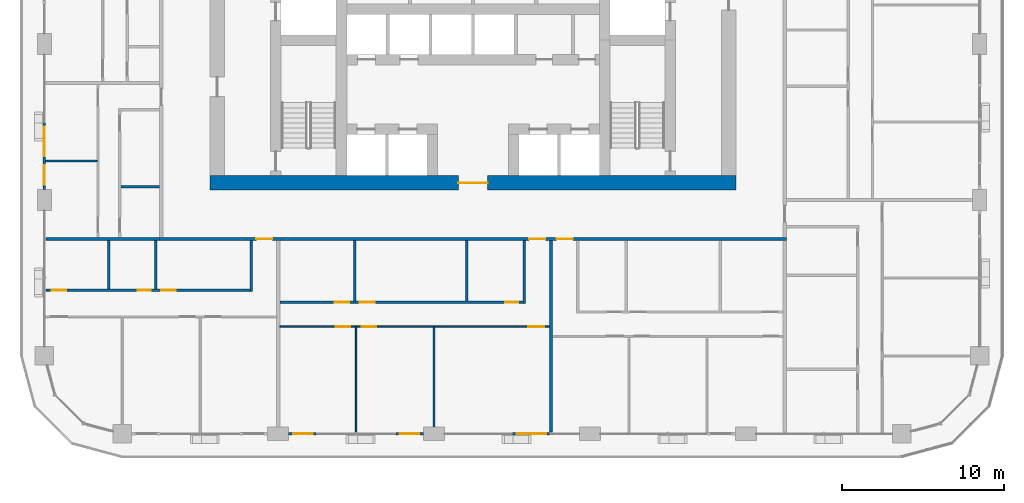
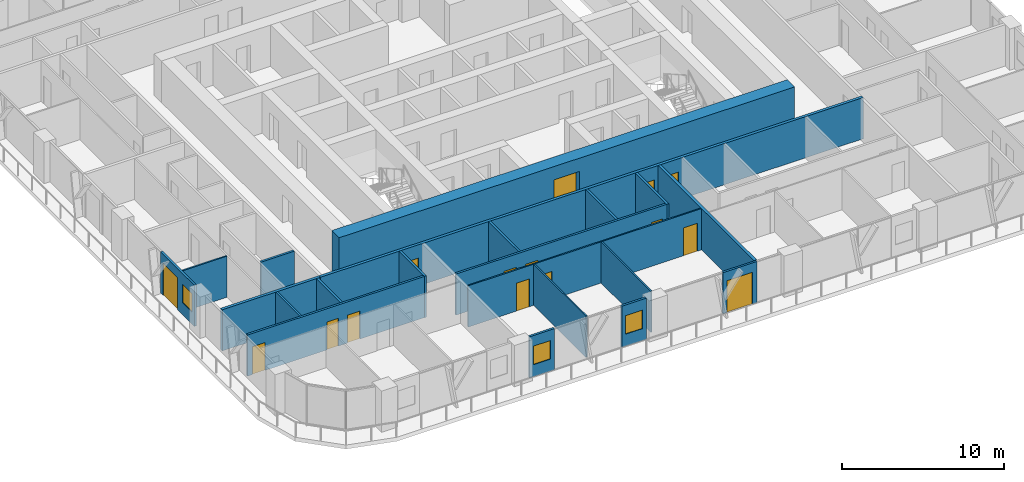
# One storey, part 9 of 21: 21 walls, 15 doors, 3 windows, 18 openings.
"""IFC4 building model written with IfcOpenShell, lengths in metres."""

from ifc_helpers import new_model, si_unit, direction, frame, frame_2d, origin, place, context, subcontext, project, spatial, rectangle, extrude, material, layer, layer_set, type_object, element, fill, save


model = new_model("IFC4")

# Units and contexts
model_context = context("Model", 3, precision=1e-05, world=origin(), true_north=direction((0.0, 1.0)))
body_context = subcontext(model_context, "Body", "Model", "MODEL_VIEW")
ifc_project = project(units=[si_unit("LENGTHUNIT", "METRE"), si_unit("AREAUNIT", "SQUARE_METRE"), si_unit("VOLUMEUNIT", "CUBIC_METRE"), si_unit("PLANEANGLEUNIT", "RADIAN"), si_unit("MASSUNIT", "GRAM", prefix="KILO")], contexts=[model_context])

# Site, building, storey
site_placement = place(None, origin())
site = spatial("IfcSite", under=ifc_project, at=site_placement, CompositionType="ELEMENT")
building_placement = place(site_placement, origin())
building = spatial("IfcBuilding", under=site, at=building_placement, Name="Madar Terraces", CompositionType="ELEMENT")
storey_placement = place(building_placement, frame((0.0, 0.0, 80.300048828125)))
storey = spatial("IfcBuildingStorey", under=building, at=storey_placement, Name="L20", CompositionType="ELEMENT", Elevation=80.300048828125)

# Wall, opening, door
ifc_material_1 = material(Name="Concrete C80/95", Category="concrete")
ifc_layer_1 = layer(ifc_material_1, 0.89990234375)
ifc_layer_set_1 = layer_set([ifc_layer_1], Name="Concrete C80/95 (CRW2 RC wall 900)")
wall_type_1 = type_object("IfcWallType", Name="CRW2 RC wall 900", PredefinedType="SHEAR", material=ifc_layer_set_1)
wall_1_placement = place(storey_placement, frame((15.0, 15.449951171875, 0.0), z_axis=(0.0, 0.0, 1.0), x_axis=(1.0, 0.0, 0.0)))
wall_1 = element("IfcWall", 1, at=wall_1_placement, inside=storey, type_object=wall_type_1, Name="CORE OUTER WALL", PredefinedType="SHEAR", context=body_context, shape_type="SweptSolid", body=[
    extrude(rectangle(XDim=32.39990234375, YDim=0.89990234375, at=frame_2d((16.199951171875, 0.0))), origin(), (0.0, 0.0, 1.0), 3.099853515625),
])
opening_1_placement = place(wall_1_placement, frame((15.300048828125, 0.0, 0.0)))
opening_1 = element("IfcOpeningElement", 2, at=opening_1_placement, cuts=wall_1, Name="Opening KD1", PredefinedType="OPENING", context=body_context, shape_type="SweptSolid", body=[
    extrude(rectangle(XDim=1.800048828125, YDim=2.10009765625, at=frame_2d((0.89990234375, 1.050048828125))), frame((0.0, 0.4599609375, 0.0), z_axis=(0.0, -1.0, 0.0), x_axis=(1.0, 0.0, 0.0)), (0.0, 0.0, 1.0), 0.919921875),
])
ifc_material_2 = material(Name="Steel door leaf", Category="steel")
door_type_1 = type_object("IfcDoorType", Name="Lobby door pair 1800 x 2100", OperationType="DOUBLE_DOOR_SINGLE_SWING", PredefinedType="DOOR", material=ifc_material_2)
door_1_placement = place(opening_1_placement, frame((1.800048828125, 0.0, 0.0), z_axis=(0.0, 0.0, 1.0), x_axis=(-1.0, 0.0, 0.0)))
door_1 = element("IfcDoor", 3, at=door_1_placement, inside=storey, type_object=door_type_1, Name="LIFT LOBBY DOOR", OperationType="DOUBLE_DOOR_SINGLE_SWING", OverallHeight=2.10009765625, OverallWidth=1.800048828125, PredefinedType="DOOR", context=body_context, shape_type="SweptSolid", body=[
    extrude(rectangle(XDim=1.800048828125, YDim=2.10009765625, at=frame_2d((0.89990234375, 1.050048828125))), frame((0.0, 0.02490234375, 0.0), z_axis=(0.0, -1.0, 0.0), x_axis=(1.0, 0.0, 0.0)), (0.0, 0.0, 1.0), 0.050048828125),
])
fill(opening_1, door_1)

# Wall, opening, window
ifc_material_3 = material(Name="Aluminium composite panel, black, over insulated backing", Category="aluminium")
ifc_layer_2 = layer(ifc_material_3, 0.14990234375)
ifc_layer_set_2 = layer_set([ifc_layer_2], Name="Facade bay panel 150")
wall_type_2 = type_object("IfcWallType", Name="Facade bay panel 150", PredefinedType="SOLIDWALL", material=ifc_layer_set_2)
wall_2_placement = place(storey_placement, frame((19.85009765625, 0.0, 0.0), z_axis=(0.0, 0.0, 1.0), x_axis=(1.0, 0.0, 0.0)))
wall_2 = element("IfcWall", 4, at=wall_2_placement, inside=storey, type_object=wall_type_2, Name="Facade bay panel", PredefinedType="SOLIDWALL", context=body_context, shape_type="SweptSolid", body=[
    extrude(rectangle(XDim=1.75, YDim=0.14990234375, at=frame_2d((0.875, 0.0))), origin(), (0.0, 0.0, 1.0), 3.099853515625),
])
opening_2_placement = place(wall_2_placement, frame((0.27490234375, 0.0, 0.89990234375)))
opening_2 = element("IfcOpeningElement", 5, at=opening_2_placement, cuts=wall_2, Name="Opening W1", PredefinedType="OPENING", context=body_context, shape_type="SweptSolid", body=[
    extrude(rectangle(XDim=1.199951171875, YDim=1.39990234375, at=frame_2d((0.60009765625, 0.699951171875))), frame((0.0, 0.0849609375, 0.0), z_axis=(0.0, -1.0, 0.0), x_axis=(1.0, 0.0, 0.0)), (0.0, 0.0, 1.0), 0.169921875),
])
ifc_material_4 = material(Name="Glass, clear, with black aluminium frame", Category="aluminium")
window_type = type_object("IfcWindowType", Name="Vent window 1200 x 1400", PartitioningType="SINGLE_PANEL", PredefinedType="WINDOW", material=ifc_material_4)
window_1_placement = place(opening_2_placement, origin())
window_1 = element("IfcWindow", 6, at=window_1_placement, inside=storey, type_object=window_type, Name="Operable vent window", OverallHeight=1.39990234375, OverallWidth=1.199951171875, PartitioningType="SINGLE_PANEL", PredefinedType="WINDOW", context=body_context, shape_type="SweptSolid", body=[
    extrude(rectangle(XDim=1.199951171875, YDim=1.39990234375, at=frame_2d((0.60009765625, 0.699951171875))), frame((0.0, 0.030029296875, 0.0), z_axis=(0.0, -1.0, 0.0), x_axis=(1.0, 0.0, 0.0)), (0.0, 0.0, 1.0), 0.06005859375),
])
fill(opening_2, window_1)

wall_3_placement = place(storey_placement, frame((26.39990234375, 0.0, 0.0), z_axis=(0.0, 0.0, 1.0), x_axis=(1.0, 0.0, 0.0)))
wall_3 = element("IfcWall", 7, at=wall_3_placement, inside=storey, type_object=wall_type_2, Name="Facade bay panel", PredefinedType="SOLIDWALL", context=body_context, shape_type="SweptSolid", body=[
    extrude(rectangle(XDim=1.75, YDim=0.14990234375, at=frame_2d((0.875, 0.0))), origin(), (0.0, 0.0, 1.0), 3.099853515625),
])
opening_3_placement = place(wall_3_placement, frame((0.27490234375, 0.0, 0.89990234375)))
opening_3 = element("IfcOpeningElement", 8, at=opening_3_placement, cuts=wall_3, Name="Opening W1", PredefinedType="OPENING", context=body_context, shape_type="SweptSolid", body=[
    extrude(rectangle(XDim=1.199951171875, YDim=1.39990234375, at=frame_2d((0.60009765625, 0.699951171875))), frame((0.0, 0.0849609375, 0.0), z_axis=(0.0, -1.0, 0.0), x_axis=(1.0, 0.0, 0.0)), (0.0, 0.0, 1.0), 0.169921875),
])
window_2_placement = place(opening_3_placement, origin())
window_2 = element("IfcWindow", 9, at=window_2_placement, inside=storey, type_object=window_type, Name="Operable vent window", OverallHeight=1.39990234375, OverallWidth=1.199951171875, PartitioningType="SINGLE_PANEL", PredefinedType="WINDOW", context=body_context, shape_type="SweptSolid", body=[
    extrude(rectangle(XDim=1.199951171875, YDim=1.39990234375, at=frame_2d((0.60009765625, 0.699951171875))), frame((0.0, 0.030029296875, 0.0), z_axis=(0.0, -1.0, 0.0), x_axis=(1.0, 0.0, 0.0)), (0.0, 0.0, 1.0), 0.06005859375),
])
fill(opening_3, window_2)

# Wall, opening, door
wall_4_placement = place(storey_placement, frame((33.60009765625, 0.0, 0.0), z_axis=(0.0, 0.0, 1.0), x_axis=(1.0, 0.0, 0.0)))
wall_4 = element("IfcWall", 10, at=wall_4_placement, inside=storey, type_object=wall_type_2, Name="Facade bay panel", PredefinedType="SOLIDWALL", context=body_context, shape_type="SweptSolid", body=[
    extrude(rectangle(XDim=2.39990234375, YDim=0.14990234375, at=frame_2d((1.199951171875, 0.0))), origin(), (0.0, 0.0, 1.0), 3.099853515625),
])
opening_4_placement = place(wall_4_placement, frame((0.300048828125, 0.0, 0.0)))
opening_4 = element("IfcOpeningElement", 11, at=opening_4_placement, cuts=wall_4, Name="Opening ED1", PredefinedType="OPENING", context=body_context, shape_type="SweptSolid", body=[
    extrude(rectangle(XDim=1.800048828125, YDim=2.39990234375, at=frame_2d((0.89990234375, 1.199951171875))), frame((0.0, 0.0849609375, 0.0), z_axis=(0.0, -1.0, 0.0), x_axis=(1.0, 0.0, 0.0)), (0.0, 0.0, 1.0), 0.169921875),
])
ifc_material_5 = material(Name="Glass, clear, with black aluminium frame", Category="aluminium")
door_type_2 = type_object("IfcDoorType", Name="Balcony and terrace sliding door 1800 x 2400", OperationType="SLIDING_TO_LEFT", PredefinedType="DOOR", material=ifc_material_5)
door_2_placement = place(opening_4_placement, origin())
door_2 = element("IfcDoor", 12, at=door_2_placement, inside=storey, type_object=door_type_2, Name="Balcony door", OperationType="SLIDING_TO_LEFT", OverallHeight=2.39990234375, OverallWidth=1.800048828125, PredefinedType="DOOR", context=body_context, shape_type="SweptSolid", body=[
    extrude(rectangle(XDim=1.800048828125, YDim=2.39990234375, at=frame_2d((0.89990234375, 1.199951171875))), frame((0.0, 0.02490234375, 0.0), z_axis=(0.0, -1.0, 0.0), x_axis=(1.0, 0.0, 0.0)), (0.0, 0.0, 1.0), 0.050048828125),
])
fill(opening_4, door_2)

# Wall, openings, door, window
wall_5_placement = place(storey_placement, frame((4.800048828125, 19.199951171875, 0.0), z_axis=(0.0, 0.0, 1.0), x_axis=(0.0, -1.0, 0.0)))
wall_5 = element("IfcWall", 13, at=wall_5_placement, inside=storey, type_object=wall_type_2, Name="Facade bay panel", PredefinedType="SOLIDWALL", context=body_context, shape_type="SweptSolid", body=[
    extrude(rectangle(XDim=4.14990234375, YDim=0.14990234375, at=frame_2d((2.074951171875, 0.0))), origin(), (0.0, 0.0, 1.0), 3.099853515625),
])
opening_5_placement = place(wall_5_placement, frame((0.300048828125, 0.0, 0.0)))
opening_5 = element("IfcOpeningElement", 14, at=opening_5_placement, cuts=wall_5, Name="Opening ED1", PredefinedType="OPENING", context=body_context, shape_type="SweptSolid", body=[
    extrude(rectangle(XDim=1.800048828125, YDim=2.39990234375, at=frame_2d((0.89990234375, 1.199951171875))), frame((0.0, 0.0849609375, 0.0), z_axis=(0.0, -1.0, 0.0), x_axis=(1.0, 0.0, 0.0)), (0.0, 0.0, 1.0), 0.169921875),
])
opening_6_placement = place(wall_5_placement, frame((2.675048828125, 0.0, 0.89990234375)))
opening_6 = element("IfcOpeningElement", 15, at=opening_6_placement, cuts=wall_5, Name="Opening W1", PredefinedType="OPENING", context=body_context, shape_type="SweptSolid", body=[
    extrude(rectangle(XDim=1.199951171875, YDim=1.39990234375, at=frame_2d((0.60009765625, 0.699951171875))), frame((0.0, 0.0849609375, 0.0), z_axis=(0.0, -1.0, 0.0), x_axis=(1.0, 0.0, 0.0)), (0.0, 0.0, 1.0), 0.169921875),
])
door_3_placement = place(opening_5_placement, origin())
door_3 = element("IfcDoor", 16, at=door_3_placement, inside=storey, type_object=door_type_2, Name="Balcony door", OperationType="SLIDING_TO_RIGHT", OverallHeight=2.39990234375, OverallWidth=1.800048828125, PredefinedType="DOOR", context=body_context, shape_type="SweptSolid", body=[
    extrude(rectangle(XDim=1.800048828125, YDim=2.39990234375, at=frame_2d((0.89990234375, 1.199951171875))), frame((0.0, 0.02490234375, 0.0), z_axis=(0.0, -1.0, 0.0), x_axis=(1.0, 0.0, 0.0)), (0.0, 0.0, 1.0), 0.050048828125),
])
fill(opening_5, door_3)
window_3_placement = place(opening_6_placement, origin())
window_3 = element("IfcWindow", 17, at=window_3_placement, inside=storey, type_object=window_type, Name="Operable vent window", OverallHeight=1.39990234375, OverallWidth=1.199951171875, PartitioningType="SINGLE_PANEL", PredefinedType="WINDOW", context=body_context, shape_type="SweptSolid", body=[
    extrude(rectangle(XDim=1.199951171875, YDim=1.39990234375, at=frame_2d((0.60009765625, 0.699951171875))), frame((0.0, 0.030029296875, 0.0), z_axis=(0.0, -1.0, 0.0), x_axis=(1.0, 0.0, 0.0)), (0.0, 0.0, 1.0), 0.06005859375),
])
fill(opening_6, window_3)

# Walls
ifc_material_6 = material(Name="Gypsum board on steel studs", Category="steel")
ifc_layer_3 = layer(ifc_material_6, 0.10009765625)
ifc_layer_set_3 = layer_set([ifc_layer_3], Name="Flat partition 100")
wall_type_3 = type_object("IfcWallType", Name="Flat partition 100", PredefinedType="PARTITIONING", material=ifc_layer_set_3)
wall_6_placement = place(storey_placement, frame((28.800048828125, 6.550048828125, 0.0), z_axis=(0.0, 0.0, 1.0), x_axis=(0.0, -1.0, 0.0)))
element("IfcWall", 18, at=wall_6_placement, inside=storey, type_object=wall_type_3, Name="Flat partition 100", PredefinedType="PARTITIONING", context=body_context, shape_type="SweptSolid", body=[
    extrude(rectangle(XDim=6.125, YDim=0.10009765625, at=frame_2d((3.0625, 0.0))), origin(), (0.0, 0.0, 1.0), 3.099853515625),
])
wall_7_placement = place(storey_placement, frame((24.0, 6.550048828125, 0.0), z_axis=(0.0, 0.0, 1.0), x_axis=(0.0, -1.0, 0.0)))
element("IfcWall", 19, at=wall_7_placement, inside=storey, type_object=wall_type_3, Name="Flat partition 100", PredefinedType="PARTITIONING", context=body_context, shape_type="SweptSolid", body=[
    extrude(rectangle(XDim=6.449951171875, YDim=0.10009765625, at=frame_2d((3.22509765625, 0.0))), origin(), (0.0, 0.0, 1.0), 3.099853515625),
])

# Wall, openings, doors
wall_8_placement = place(storey_placement, frame((35.89990234375, 6.60009765625, 0.0), z_axis=(0.0, 0.0, 1.0), x_axis=(-1.0, 0.0, 0.0)))
wall_8 = element("IfcWall", 20, at=wall_8_placement, inside=storey, type_object=wall_type_3, Name="Flat partition 100", PredefinedType="PARTITIONING", context=body_context, shape_type="SweptSolid", body=[
    extrude(rectangle(XDim=16.599853515625, YDim=0.10009765625, at=frame_2d((8.2998046875, 0.0))), origin(), (0.0, 0.0, 1.0), 3.099853515625),
])
opening_7_placement = place(wall_8_placement, frame((0.300048828125, 0.0, 0.0)))
opening_7 = element("IfcOpeningElement", 21, at=opening_7_placement, cuts=wall_8, Name="Opening D3", PredefinedType="OPENING", context=body_context, shape_type="SweptSolid", body=[
    extrude(rectangle(XDim=1.0, YDim=2.10009765625, at=frame_2d((0.5, 1.050048828125))), frame((0.0, 0.06005859375, 0.0), z_axis=(0.0, -1.0, 0.0), x_axis=(1.0, 0.0, 0.0)), (0.0, 0.0, 1.0), 0.1201171875),
])
opening_8_placement = place(wall_8_placement, frame((10.64990234375, 0.0, 0.0)))
opening_8 = element("IfcOpeningElement", 22, at=opening_8_placement, cuts=wall_8, Name="Opening D2", PredefinedType="OPENING", context=body_context, shape_type="SweptSolid", body=[
    extrude(rectangle(XDim=0.89990234375, YDim=2.10009765625, at=frame_2d((0.449951171875, 1.050048828125))), frame((0.0, 0.06005859375, 0.0), z_axis=(0.0, -1.0, 0.0), x_axis=(1.0, 0.0, 0.0)), (0.0, 0.0, 1.0), 0.1201171875),
])
opening_9_placement = place(wall_8_placement, frame((12.25, 0.0, 0.0)))
opening_9 = element("IfcOpeningElement", 23, at=opening_9_placement, cuts=wall_8, Name="Opening D2", PredefinedType="OPENING", context=body_context, shape_type="SweptSolid", body=[
    extrude(rectangle(XDim=0.89990234375, YDim=2.10009765625, at=frame_2d((0.449951171875, 1.050048828125))), frame((0.0, 0.06005859375, 0.0), z_axis=(0.0, -1.0, 0.0), x_axis=(1.0, 0.0, 0.0)), (0.0, 0.0, 1.0), 0.1201171875),
])
ifc_material_7 = material(Name="Timber door leaf", Category="wood")
door_type_3 = type_object("IfcDoorType", Name="Flat living room door 1000", OperationType="NOTDEFINED", PredefinedType="DOOR", material=ifc_material_7)
door_4_placement = place(opening_7_placement, origin())
door_4 = element("IfcDoor", 24, at=door_4_placement, inside=storey, type_object=door_type_3, Name="Flat living room door 1000", OperationType="SINGLE_SWING_LEFT", OverallHeight=2.10009765625, OverallWidth=1.0, PredefinedType="DOOR", context=body_context, shape_type="SweptSolid", body=[
    extrude(rectangle(XDim=1.0, YDim=2.10009765625, at=frame_2d((0.5, 1.050048828125))), frame((0.0, 0.02490234375, 0.0), z_axis=(0.0, -1.0, 0.0), x_axis=(1.0, 0.0, 0.0)), (0.0, 0.0, 1.0), 0.050048828125),
])
fill(opening_7, door_4)
ifc_material_8 = material(Name="Timber door leaf", Category="wood")
door_type_4 = type_object("IfcDoorType", Name="Flat room door 900", OperationType="NOTDEFINED", PredefinedType="DOOR", material=ifc_material_8)
door_5_placement = place(opening_8_placement, origin())
door_5 = element("IfcDoor", 25, at=door_5_placement, inside=storey, type_object=door_type_4, Name="Flat room door 900", OperationType="SINGLE_SWING_RIGHT", OverallHeight=2.10009765625, OverallWidth=0.89990234375, PredefinedType="DOOR", context=body_context, shape_type="SweptSolid", body=[
    extrude(rectangle(XDim=0.89990234375, YDim=2.10009765625, at=frame_2d((0.449951171875, 1.050048828125))), frame((0.0, 0.02490234375, 0.0), z_axis=(0.0, -1.0, 0.0), x_axis=(1.0, 0.0, 0.0)), (0.0, 0.0, 1.0), 0.050048828125),
])
fill(opening_8, door_5)
door_6_placement = place(opening_9_placement, origin())
door_6 = element("IfcDoor", 26, at=door_6_placement, inside=storey, type_object=door_type_4, Name="Flat room door 900", OperationType="SINGLE_SWING_LEFT", OverallHeight=2.10009765625, OverallWidth=0.89990234375, PredefinedType="DOOR", context=body_context, shape_type="SweptSolid", body=[
    extrude(rectangle(XDim=0.89990234375, YDim=2.10009765625, at=frame_2d((0.449951171875, 1.050048828125))), frame((0.0, 0.02490234375, 0.0), z_axis=(0.0, -1.0, 0.0), x_axis=(1.0, 0.0, 0.0)), (0.0, 0.0, 1.0), 0.050048828125),
])
fill(opening_9, door_6)

# Wall
wall_9_placement = place(storey_placement, frame((8.050048828125, 16.800048828125, 0.0), z_axis=(0.0, 0.0, 1.0), x_axis=(-1.0, 0.0, 0.0)))
element("IfcWall", 27, at=wall_9_placement, inside=storey, type_object=wall_type_3, Name="Flat partition 100", PredefinedType="PARTITIONING", context=body_context, shape_type="SweptSolid", body=[
    extrude(rectangle(XDim=3.150146484375, YDim=0.10009765625, at=frame_2d((1.5751953125, 0.0))), origin(), (0.0, 0.0, 1.0), 3.099853515625),
])

# Wall, openings, doors
ifc_material_9 = material(Name="Lightweight blockwork", Category="masonry")
ifc_layer_4 = layer(ifc_material_9, 0.199951171875)
ifc_layer_set_4 = layer_set([ifc_layer_4], Name="Flat party and entrance wall 200")
wall_type_4 = type_object("IfcWallType", Name="Flat party and entrance wall 200", PredefinedType="PARTITIONING", material=ifc_layer_set_4)
wall_10_placement = place(storey_placement, frame((50.5, 12.0, 0.0), z_axis=(0.0, 0.0, 1.0), x_axis=(-1.0, 0.0, 0.0)))
wall_10 = element("IfcWall", 28, at=wall_10_placement, inside=storey, type_object=wall_type_4, Name="Flat party and entrance wall 200", PredefinedType="PARTITIONING", context=body_context, shape_type="SweptSolid", body=[
    extrude(rectangle(XDim=38.60009765625, YDim=0.199951171875, at=frame_2d((19.300048828125, 0.0))), origin(), (0.0, 0.0, 1.0), 3.099853515625),
])
opening_10_placement = place(wall_10_placement, frame((31.64990234375, 0.0, 0.0)))
opening_10 = element("IfcOpeningElement", 29, at=opening_10_placement, cuts=wall_10, Name="Opening D1", PredefinedType="OPENING", context=body_context, shape_type="SweptSolid", body=[
    extrude(rectangle(XDim=1.0, YDim=2.10009765625, at=frame_2d((0.5, 1.050048828125))), frame((0.0, 0.10986328125, 0.0), z_axis=(0.0, -1.0, 0.0), x_axis=(1.0, 0.0, 0.0)), (0.0, 0.0, 1.0), 0.219970703125),
])
opening_11_placement = place(wall_10_placement, frame((14.85009765625, 0.0, 0.0)))
opening_11 = element("IfcOpeningElement", 30, at=opening_11_placement, cuts=wall_10, Name="Opening D1", PredefinedType="OPENING", context=body_context, shape_type="SweptSolid", body=[
    extrude(rectangle(XDim=1.0, YDim=2.10009765625, at=frame_2d((0.5, 1.050048828125))), frame((0.0, 0.10986328125, 0.0), z_axis=(0.0, -1.0, 0.0), x_axis=(1.0, 0.0, 0.0)), (0.0, 0.0, 1.0), 0.219970703125),
])
opening_12_placement = place(wall_10_placement, frame((13.14990234375, 0.0, 0.0)))
opening_12 = element("IfcOpeningElement", 31, at=opening_12_placement, cuts=wall_10, Name="Opening D1", PredefinedType="OPENING", context=body_context, shape_type="SweptSolid", body=[
    extrude(rectangle(XDim=1.0, YDim=2.10009765625, at=frame_2d((0.5, 1.050048828125))), frame((0.0, 0.10986328125, 0.0), z_axis=(0.0, -1.0, 0.0), x_axis=(1.0, 0.0, 0.0)), (0.0, 0.0, 1.0), 0.219970703125),
])
ifc_material_10 = material(Name="Timber fire door leaf", Category="wood")
door_type_5 = type_object("IfcDoorType", Name="Flat entrance door 1000 FD30S", OperationType="NOTDEFINED", PredefinedType="DOOR", material=ifc_material_10)
door_7_placement = place(opening_10_placement, origin())
door_7 = element("IfcDoor", 32, at=door_7_placement, inside=storey, type_object=door_type_5, Name="Flat entrance door 1000 FD30S", OperationType="SINGLE_SWING_LEFT", OverallHeight=2.10009765625, OverallWidth=1.0, PredefinedType="DOOR", context=body_context, shape_type="SweptSolid", body=[
    extrude(rectangle(XDim=1.0, YDim=2.10009765625, at=frame_2d((0.5, 1.050048828125))), frame((0.0, 0.02490234375, 0.0), z_axis=(0.0, -1.0, 0.0), x_axis=(1.0, 0.0, 0.0)), (0.0, 0.0, 1.0), 0.050048828125),
])
fill(opening_10, door_7)
door_8_placement = place(opening_11_placement, origin())
door_8 = element("IfcDoor", 33, at=door_8_placement, inside=storey, type_object=door_type_5, Name="Flat entrance door 1000 FD30S", OperationType="SINGLE_SWING_LEFT", OverallHeight=2.10009765625, OverallWidth=1.0, PredefinedType="DOOR", context=body_context, shape_type="SweptSolid", body=[
    extrude(rectangle(XDim=1.0, YDim=2.10009765625, at=frame_2d((0.5, 1.050048828125))), frame((0.0, 0.02490234375, 0.0), z_axis=(0.0, -1.0, 0.0), x_axis=(1.0, 0.0, 0.0)), (0.0, 0.0, 1.0), 0.050048828125),
])
fill(opening_11, door_8)
door_9_placement = place(opening_12_placement, origin())
door_9 = element("IfcDoor", 34, at=door_9_placement, inside=storey, type_object=door_type_5, Name="Flat entrance door 1000 FD30S", OperationType="SINGLE_SWING_RIGHT", OverallHeight=2.10009765625, OverallWidth=1.0, PredefinedType="DOOR", context=body_context, shape_type="SweptSolid", body=[
    extrude(rectangle(XDim=1.0, YDim=2.10009765625, at=frame_2d((0.5, 1.050048828125))), frame((0.0, 0.02490234375, 0.0), z_axis=(0.0, -1.0, 0.0), x_axis=(1.0, 0.0, 0.0)), (0.0, 0.0, 1.0), 0.050048828125),
])
fill(opening_12, door_9)

# Walls
wall_11_placement = place(storey_placement, frame((4.89990234375, 12.0, 0.0), z_axis=(0.0, 0.0, 1.0), x_axis=(1.0, 0.0, 0.0)))
element("IfcWall", 35, at=wall_11_placement, inside=storey, type_object=wall_type_4, Name="Flat party and entrance wall 200", PredefinedType="PARTITIONING", context=body_context, shape_type="SweptSolid", body=[
    extrude(rectangle(XDim=7.0, YDim=0.199951171875, at=frame_2d((3.5, 0.0))), origin(), (0.0, 0.0, 1.0), 3.099853515625),
])
wall_12_placement = place(storey_placement, frame((36.0, 11.89990234375, 0.0), z_axis=(0.0, 0.0, 1.0), x_axis=(0.0, -1.0, 0.0)))
element("IfcWall", 36, at=wall_12_placement, inside=storey, type_object=wall_type_4, Name="Flat party and entrance wall 200", PredefinedType="PARTITIONING", context=body_context, shape_type="SweptSolid", body=[
    extrude(rectangle(XDim=11.7998046875, YDim=0.199951171875, at=frame_2d((5.89990234375, 0.0))), origin(), (0.0, 0.0, 1.0), 3.099853515625),
])
ifc_material_11 = material(Name="Lightweight blockwork", Category="masonry")
ifc_layer_5 = layer(ifc_material_11, 0.14990234375)
ifc_layer_set_5 = layer_set([ifc_layer_5], Name="Flat wet-room partition 150")
wall_type_5 = type_object("IfcWallType", Name="Flat wet-room partition 150", PredefinedType="PARTITIONING", material=ifc_layer_set_5)
for number, where, z_axis, x_axis, name in (
    (37, (11.671142578125, 11.89990234375, 0.0), (0.0, 0.0, 1.0), (0.0, -1.0, 0.0), "Flat wet-room partition 150"),
    (38, (8.769287109375, 11.89990234375, 0.0), (0.0, 0.0, 1.0), (0.0, -1.0, 0.0), "Flat wet-room partition 150"),
):
    element("IfcWall", number, at=place(storey_placement, frame(where, z_axis=z_axis, x_axis=x_axis)), inside=storey, type_object=wall_type_5, Name=name, PredefinedType="PARTITIONING", context=body_context, shape_type="SweptSolid", body=[
        extrude(rectangle(XDim=2.974853515625, YDim=0.14990234375, at=frame_2d((1.4873046875, 0.0))), origin(), (0.0, 0.0, 1.0), 3.099853515625),
    ])
wall_13_placement = place(storey_placement, frame((17.550048828125, 11.89990234375, 0.0), z_axis=(0.0, 0.0, 1.0), x_axis=(0.0, -1.0, 0.0)))
element("IfcWall", 39, at=wall_13_placement, inside=storey, type_object=wall_type_5, Name="Flat wet-room partition 150", PredefinedType="PARTITIONING", context=body_context, shape_type="SweptSolid", body=[
    extrude(rectangle(XDim=3.125, YDim=0.14990234375, at=frame_2d((1.5625, 0.0))), origin(), (0.0, 0.0, 1.0), 3.099853515625),
])

# Wall, openings, doors
wall_14_placement = place(storey_placement, frame((4.89990234375, 8.85009765625, 0.0), z_axis=(0.0, 0.0, 1.0), x_axis=(1.0, 0.0, 0.0)))
wall_14 = element("IfcWall", 40, at=wall_14_placement, inside=storey, type_object=wall_type_5, Name="Flat wet-room partition 150", PredefinedType="PARTITIONING", context=body_context, shape_type="SweptSolid", body=[
    extrude(rectangle(XDim=12.5751953125, YDim=0.14990234375, at=frame_2d((6.28759765625, 0.0))), origin(), (0.0, 0.0, 1.0), 3.099853515625),
])
opening_13_placement = place(wall_14_placement, frame((7.09619140625, 0.0, 0.0)))
opening_13 = element("IfcOpeningElement", 41, at=opening_13_placement, cuts=wall_14, Name="Opening D2", PredefinedType="OPENING", context=body_context, shape_type="SweptSolid", body=[
    extrude(rectangle(XDim=0.89990234375, YDim=2.10009765625, at=frame_2d((0.449951171875, 1.050048828125))), frame((0.0, 0.0849609375, 0.0), z_axis=(0.0, -1.0, 0.0), x_axis=(1.0, 0.0, 0.0)), (0.0, 0.0, 1.0), 0.169921875),
])
opening_14_placement = place(wall_14_placement, frame((5.646240234375, 0.0, 0.0)))
opening_14 = element("IfcOpeningElement", 42, at=opening_14_placement, cuts=wall_14, Name="Opening D4", PredefinedType="OPENING", context=body_context, shape_type="SweptSolid", body=[
    extrude(rectangle(XDim=0.800048828125, YDim=2.10009765625, at=frame_2d((0.39990234375, 1.050048828125))), frame((0.0, 0.0849609375, 0.0), z_axis=(0.0, -1.0, 0.0), x_axis=(1.0, 0.0, 0.0)), (0.0, 0.0, 1.0), 0.169921875),
])
opening_15_placement = place(wall_14_placement, frame((0.35009765625, 0.0, 0.0)))
opening_15 = element("IfcOpeningElement", 43, at=opening_15_placement, cuts=wall_14, Name="Opening D5", PredefinedType="OPENING", context=body_context, shape_type="SweptSolid", body=[
    extrude(rectangle(XDim=0.89990234375, YDim=2.10009765625, at=frame_2d((0.449951171875, 1.050048828125))), frame((0.0, 0.0849609375, 0.0), z_axis=(0.0, -1.0, 0.0), x_axis=(1.0, 0.0, 0.0)), (0.0, 0.0, 1.0), 0.169921875),
])
ifc_material_12 = material(Name="Timber door leaf", Category="wood")
door_type_6 = type_object("IfcDoorType", Name="Flat accessible bathroom door 900", OperationType="NOTDEFINED", PredefinedType="DOOR", material=ifc_material_12)
door_10_placement = place(opening_15_placement, origin())
door_10 = element("IfcDoor", 44, at=door_10_placement, inside=storey, type_object=door_type_6, Name="Flat accessible bathroom door 900", OperationType="SINGLE_SWING_LEFT", OverallHeight=2.10009765625, OverallWidth=0.89990234375, PredefinedType="DOOR", context=body_context, shape_type="SweptSolid", body=[
    extrude(rectangle(XDim=0.89990234375, YDim=2.10009765625, at=frame_2d((0.449951171875, 1.050048828125))), frame((0.0, 0.02490234375, 0.0), z_axis=(0.0, -1.0, 0.0), x_axis=(1.0, 0.0, 0.0)), (0.0, 0.0, 1.0), 0.050048828125),
])
fill(opening_15, door_10)
ifc_material_13 = material(Name="Timber door leaf", Category="wood")
door_type_7 = type_object("IfcDoorType", Name="Flat bathroom door 800", OperationType="NOTDEFINED", PredefinedType="DOOR", material=ifc_material_13)
door_11_placement = place(opening_14_placement, origin())
door_11 = element("IfcDoor", 45, at=door_11_placement, inside=storey, type_object=door_type_7, Name="Flat bathroom door 800", OperationType="SINGLE_SWING_RIGHT", OverallHeight=2.10009765625, OverallWidth=0.800048828125, PredefinedType="DOOR", context=body_context, shape_type="SweptSolid", body=[
    extrude(rectangle(XDim=0.800048828125, YDim=2.10009765625, at=frame_2d((0.39990234375, 1.050048828125))), frame((0.0, 0.02490234375, 0.0), z_axis=(0.0, -1.0, 0.0), x_axis=(1.0, 0.0, 0.0)), (0.0, 0.0, 1.0), 0.050048828125),
])
fill(opening_14, door_11)
door_12_placement = place(opening_13_placement, origin())
door_12 = element("IfcDoor", 46, at=door_12_placement, inside=storey, type_object=door_type_4, Name="Flat room door 900", OperationType="SINGLE_SWING_LEFT", OverallHeight=2.10009765625, OverallWidth=0.89990234375, PredefinedType="DOOR", context=body_context, shape_type="SweptSolid", body=[
    extrude(rectangle(XDim=0.89990234375, YDim=2.10009765625, at=frame_2d((0.449951171875, 1.050048828125))), frame((0.0, 0.02490234375, 0.0), z_axis=(0.0, -1.0, 0.0), x_axis=(1.0, 0.0, 0.0)), (0.0, 0.0, 1.0), 0.050048828125),
])
fill(opening_13, door_12)

# Walls
for number, where, z_axis, x_axis, name in (
    (47, (30.819091796875, 11.89990234375, 0.0), (0.0, 0.0, 1.0), (0.0, -1.0, 0.0), "Flat wet-room partition 150"),
    (48, (23.90771484375, 11.89990234375, 0.0), (0.0, 0.0, 1.0), (0.0, -1.0, 0.0), "Flat wet-room partition 150"),
):
    element("IfcWall", number, at=place(storey_placement, frame(where, z_axis=z_axis, x_axis=x_axis)), inside=storey, type_object=wall_type_5, Name=name, PredefinedType="PARTITIONING", context=body_context, shape_type="SweptSolid", body=[
        extrude(rectangle(XDim=3.724853515625, YDim=0.14990234375, at=frame_2d((1.8623046875, 0.0))), origin(), (0.0, 0.0, 1.0), 3.099853515625),
    ])
wall_15_placement = place(storey_placement, frame((34.35009765625, 11.89990234375, 0.0), z_axis=(0.0, 0.0, 1.0), x_axis=(0.0, -1.0, 0.0)))
element("IfcWall", 49, at=wall_15_placement, inside=storey, type_object=wall_type_5, Name="Flat wet-room partition 150", PredefinedType="PARTITIONING", context=body_context, shape_type="SweptSolid", body=[
    extrude(rectangle(XDim=3.875, YDim=0.14990234375, at=frame_2d((1.9375, 0.0))), origin(), (0.0, 0.0, 1.0), 3.099853515625),
])

# Wall, openings, doors
wall_16_placement = place(storey_placement, frame((19.300048828125, 8.10009765625, 0.0), z_axis=(0.0, 0.0, 1.0), x_axis=(1.0, 0.0, 0.0)))
wall_16 = element("IfcWall", 50, at=wall_16_placement, inside=storey, type_object=wall_type_5, Name="Flat wet-room partition 150", PredefinedType="PARTITIONING", context=body_context, shape_type="SweptSolid", body=[
    extrude(rectangle(XDim=14.974853515625, YDim=0.14990234375, at=frame_2d((7.4873046875, 0.0))), origin(), (0.0, 0.0, 1.0), 3.099853515625),
])
opening_16_placement = place(wall_16_placement, frame((13.875, 0.0, 0.0)))
opening_16 = element("IfcOpeningElement", 51, at=opening_16_placement, cuts=wall_16, Name="Opening D4", PredefinedType="OPENING", context=body_context, shape_type="SweptSolid", body=[
    extrude(rectangle(XDim=0.800048828125, YDim=2.10009765625, at=frame_2d((0.39990234375, 1.050048828125))), frame((0.0, 0.0849609375, 0.0), z_axis=(0.0, -1.0, 0.0), x_axis=(1.0, 0.0, 0.0)), (0.0, 0.0, 1.0), 0.169921875),
])
opening_17_placement = place(wall_16_placement, frame((4.9326171875, 0.0, 0.0)))
opening_17 = element("IfcOpeningElement", 52, at=opening_17_placement, cuts=wall_16, Name="Opening D2", PredefinedType="OPENING", context=body_context, shape_type="SweptSolid", body=[
    extrude(rectangle(XDim=0.89990234375, YDim=2.10009765625, at=frame_2d((0.449951171875, 1.050048828125))), frame((0.0, 0.0849609375, 0.0), z_axis=(0.0, -1.0, 0.0), x_axis=(1.0, 0.0, 0.0)), (0.0, 0.0, 1.0), 0.169921875),
])
opening_18_placement = place(wall_16_placement, frame((3.3828125, 0.0, 0.0)))
opening_18 = element("IfcOpeningElement", 53, at=opening_18_placement, cuts=wall_16, Name="Opening D5", PredefinedType="OPENING", context=body_context, shape_type="SweptSolid", body=[
    extrude(rectangle(XDim=0.89990234375, YDim=2.10009765625, at=frame_2d((0.449951171875, 1.050048828125))), frame((0.0, 0.0849609375, 0.0), z_axis=(0.0, -1.0, 0.0), x_axis=(1.0, 0.0, 0.0)), (0.0, 0.0, 1.0), 0.169921875),
])
door_13_placement = place(opening_18_placement, origin())
door_13 = element("IfcDoor", 54, at=door_13_placement, inside=storey, type_object=door_type_6, Name="Flat accessible bathroom door 900", OperationType="SINGLE_SWING_RIGHT", OverallHeight=2.10009765625, OverallWidth=0.89990234375, PredefinedType="DOOR", context=body_context, shape_type="SweptSolid", body=[
    extrude(rectangle(XDim=0.89990234375, YDim=2.10009765625, at=frame_2d((0.449951171875, 1.050048828125))), frame((0.0, 0.02490234375, 0.0), z_axis=(0.0, -1.0, 0.0), x_axis=(1.0, 0.0, 0.0)), (0.0, 0.0, 1.0), 0.050048828125),
])
fill(opening_18, door_13)
door_14_placement = place(opening_16_placement, origin())
door_14 = element("IfcDoor", 55, at=door_14_placement, inside=storey, type_object=door_type_7, Name="Flat bathroom door 800", OperationType="SINGLE_SWING_RIGHT", OverallHeight=2.10009765625, OverallWidth=0.800048828125, PredefinedType="DOOR", context=body_context, shape_type="SweptSolid", body=[
    extrude(rectangle(XDim=0.800048828125, YDim=2.10009765625, at=frame_2d((0.39990234375, 1.050048828125))), frame((0.0, 0.02490234375, 0.0), z_axis=(0.0, -1.0, 0.0), x_axis=(1.0, 0.0, 0.0)), (0.0, 0.0, 1.0), 0.050048828125),
])
fill(opening_16, door_14)
door_15_placement = place(opening_17_placement, origin())
door_15 = element("IfcDoor", 56, at=door_15_placement, inside=storey, type_object=door_type_4, Name="Flat room door 900", OperationType="SINGLE_SWING_LEFT", OverallHeight=2.10009765625, OverallWidth=0.89990234375, PredefinedType="DOOR", context=body_context, shape_type="SweptSolid", body=[
    extrude(rectangle(XDim=0.89990234375, YDim=2.10009765625, at=frame_2d((0.449951171875, 1.050048828125))), frame((0.0, 0.02490234375, 0.0), z_axis=(0.0, -1.0, 0.0), x_axis=(1.0, 0.0, 0.0)), (0.0, 0.0, 1.0), 0.050048828125),
])
fill(opening_17, door_15)

# Wall
wall_17_placement = place(storey_placement, frame((11.89990234375, 15.2099609375, 0.0), z_axis=(0.0, 0.0, 1.0), x_axis=(-1.0, 0.0, 0.0)))
element("IfcWall", 57, at=wall_17_placement, inside=storey, type_object=wall_type_5, Name="Flat wet-room partition 150", PredefinedType="PARTITIONING", context=body_context, shape_type="SweptSolid", body=[
    extrude(rectangle(XDim=2.375, YDim=0.14990234375, at=frame_2d((1.1875, 0.0))), origin(), (0.0, 0.0, 1.0), 3.099853515625),
])

save(model, "model.ifc")
